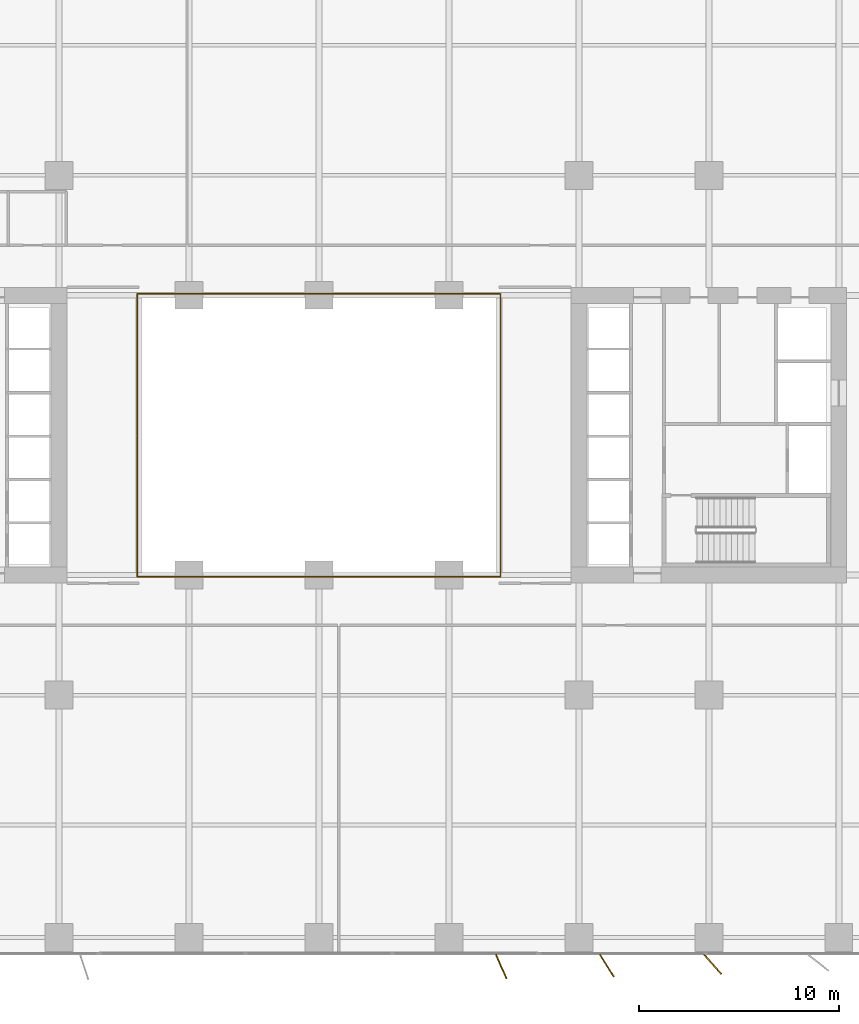
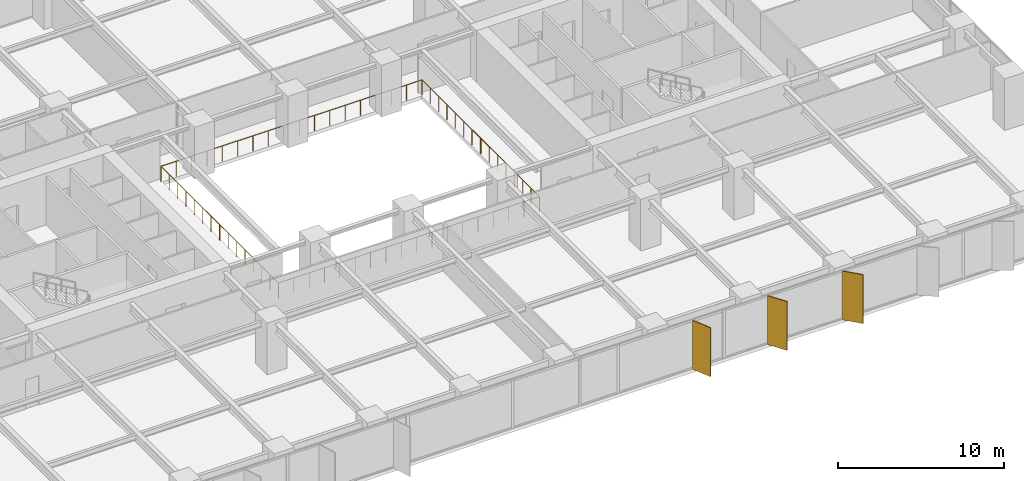
# One storey, part 18 of 20: 3 shading devices, 2 railings.
"""IFC4 building model written with IfcOpenShell, lengths in metres."""

from ifc_helpers import new_model, si_unit, direction, frame, origin, origin_2d, place, context, subcontext, project, spatial, rectangle, circle, extrude, material, layer, layer_set, type_object, element, save


model = new_model("IFC4")

# Units and contexts
model_context = context("Model", 3, precision=1e-05, world=origin(), true_north=direction((0.0, 1.0)))
body_context = subcontext(model_context, "Body", "Model", "MODEL_VIEW")
ifc_project = project(units=[si_unit("LENGTHUNIT", "METRE"), si_unit("AREAUNIT", "SQUARE_METRE"), si_unit("VOLUMEUNIT", "CUBIC_METRE"), si_unit("PLANEANGLEUNIT", "RADIAN"), si_unit("MASSUNIT", "GRAM", prefix="KILO")], contexts=[model_context])

# Site, building, storey
site_placement = place(None, origin())
site = spatial("IfcSite", under=ifc_project, at=site_placement, CompositionType="ELEMENT")
building_placement = place(site_placement, origin())
building = spatial("IfcBuilding", under=site, at=building_placement, Name="Putna Gate Headquarters", CompositionType="ELEMENT")
storey_placement = place(building_placement, frame((0.0, 0.0, 35.39990234375)))
storey = spatial("IfcBuildingStorey", under=building, at=storey_placement, Name="L07", CompositionType="ELEMENT", Elevation=35.39990234375)

# Railings
ifc_material_1 = material(Name="Anodised bronze and laminated glass atrium balustrade", Category="glass")
railing_type = type_object("IfcRailingType", Name="RAIL-ATRIUM-GUARD-1150", PredefinedType="GUARDRAIL", material=ifc_material_1)
railing_1_placement = place(storey_placement, frame((29.919921875, 25.969970703125, 0.0)))
element("IfcRailing", 1, at=railing_1_placement, inside=storey, type_object=railing_type, Name="L07 Central Atrium Glazed Balustrade South", PredefinedType="GUARDRAIL", context=body_context, shape_type="SweptSolid", body=[
    extrude(circle(Radius=0.02392578125, at=origin_2d()), frame((0.0, 0.0, 1.1259765625), z_axis=(0.0, -1.0, 0.0), x_axis=(1.0, 0.0, 0.0)), (0.0, 0.0, 1.0), 7.050048828125),
    extrude(circle(Radius=0.02392578125, at=origin_2d()), frame((0.0, -7.050048828125, 1.1259765625), z_axis=(1.0, 0.0, 0.0), x_axis=(0.0, 1.0, 0.0)), (0.0, 0.0, 1.0), 18.16015625),
    extrude(circle(Radius=0.02392578125, at=origin_2d()), frame((18.16015625, -7.050048828125, 1.1259765625), z_axis=(0.0, 1.0, 0.0), x_axis=(-1.0, 0.0, 0.0)), (0.0, 0.0, 1.0), 7.050048828125),
    extrude(circle(Radius=0.02099609375, at=origin_2d()), origin(), (0.0, 0.0, 1.0), 1.101806640625),
    extrude(circle(Radius=0.02099609375, at=origin_2d()), frame((0.0, -1.007080078125, 0.0)), (0.0, 0.0, 1.0), 1.101806640625),
    extrude(circle(Radius=0.02099609375, at=origin_2d()), frame((0.0, -2.014404296875, 0.0)), (0.0, 0.0, 1.0), 1.101806640625),
    extrude(circle(Radius=0.02099609375, at=origin_2d()), frame((0.0, -3.021484375, 0.0)), (0.0, 0.0, 1.0), 1.101806640625),
    extrude(circle(Radius=0.02099609375, at=origin_2d()), frame((0.0, -4.028564453125, 0.0)), (0.0, 0.0, 1.0), 1.101806640625),
    extrude(circle(Radius=0.02099609375, at=origin_2d()), frame((0.0, -5.03564453125, 0.0)), (0.0, 0.0, 1.0), 1.101806640625),
    extrude(circle(Radius=0.02099609375, at=origin_2d()), frame((0.0, -6.04296875, 0.0)), (0.0, 0.0, 1.0), 1.101806640625),
    extrude(circle(Radius=0.02099609375, at=origin_2d()), frame((0.0, -7.050048828125, 0.0)), (0.0, 0.0, 1.0), 1.101806640625),
    extrude(circle(Radius=0.02099609375, at=origin_2d()), frame((1.068359375, -7.050048828125, 0.0)), (0.0, 0.0, 1.0), 1.101806640625),
    extrude(circle(Radius=0.02099609375, at=origin_2d()), frame((2.136474609375, -7.050048828125, 0.0)), (0.0, 0.0, 1.0), 1.101806640625),
    extrude(circle(Radius=0.02099609375, at=origin_2d()), frame((3.204833984375, -7.050048828125, 0.0)), (0.0, 0.0, 1.0), 1.101806640625),
    extrude(circle(Radius=0.02099609375, at=origin_2d()), frame((4.27294921875, -7.050048828125, 0.0)), (0.0, 0.0, 1.0), 1.101806640625),
    extrude(circle(Radius=0.02099609375, at=origin_2d()), frame((5.34130859375, -7.050048828125, 0.0)), (0.0, 0.0, 1.0), 1.101806640625),
    extrude(circle(Radius=0.02099609375, at=origin_2d()), frame((6.409423828125, -7.050048828125, 0.0)), (0.0, 0.0, 1.0), 1.101806640625),
    extrude(circle(Radius=0.02099609375, at=origin_2d()), frame((7.477783203125, -7.050048828125, 0.0)), (0.0, 0.0, 1.0), 1.101806640625),
    extrude(circle(Radius=0.02099609375, at=origin_2d()), frame((8.5458984375, -7.050048828125, 0.0)), (0.0, 0.0, 1.0), 1.101806640625),
    extrude(circle(Radius=0.02099609375, at=origin_2d()), frame((9.6142578125, -7.050048828125, 0.0)), (0.0, 0.0, 1.0), 1.101806640625),
    extrude(circle(Radius=0.02099609375, at=origin_2d()), frame((10.682373046875, -7.050048828125, 0.0)), (0.0, 0.0, 1.0), 1.101806640625),
    extrude(circle(Radius=0.02099609375, at=origin_2d()), frame((11.750732421875, -7.050048828125, 0.0)), (0.0, 0.0, 1.0), 1.101806640625),
    extrude(circle(Radius=0.02099609375, at=origin_2d()), frame((12.81884765625, -7.050048828125, 0.0)), (0.0, 0.0, 1.0), 1.101806640625),
    extrude(circle(Radius=0.02099609375, at=origin_2d()), frame((13.88720703125, -7.050048828125, 0.0)), (0.0, 0.0, 1.0), 1.101806640625),
    extrude(circle(Radius=0.02099609375, at=origin_2d()), frame((14.955322265625, -7.050048828125, 0.0)), (0.0, 0.0, 1.0), 1.101806640625),
    extrude(circle(Radius=0.02099609375, at=origin_2d()), frame((16.023681640625, -7.050048828125, 0.0)), (0.0, 0.0, 1.0), 1.101806640625),
    extrude(circle(Radius=0.02099609375, at=origin_2d()), frame((17.091796875, -7.050048828125, 0.0)), (0.0, 0.0, 1.0), 1.101806640625),
    extrude(circle(Radius=0.02099609375, at=origin_2d()), frame((18.16015625, -7.050048828125, 0.0)), (0.0, 0.0, 1.0), 1.101806640625),
    extrude(circle(Radius=0.02099609375, at=origin_2d()), frame((18.16015625, -6.04296875, 0.0)), (0.0, 0.0, 1.0), 1.101806640625),
    extrude(circle(Radius=0.02099609375, at=origin_2d()), frame((18.16015625, -5.03564453125, 0.0)), (0.0, 0.0, 1.0), 1.101806640625),
    extrude(circle(Radius=0.02099609375, at=origin_2d()), frame((18.16015625, -4.028564453125, 0.0)), (0.0, 0.0, 1.0), 1.101806640625),
    extrude(circle(Radius=0.02099609375, at=origin_2d()), frame((18.16015625, -3.021484375, 0.0)), (0.0, 0.0, 1.0), 1.101806640625),
    extrude(circle(Radius=0.02099609375, at=origin_2d()), frame((18.16015625, -2.014404296875, 0.0)), (0.0, 0.0, 1.0), 1.101806640625),
    extrude(circle(Radius=0.02099609375, at=origin_2d()), frame((18.16015625, -1.007080078125, 0.0)), (0.0, 0.0, 1.0), 1.101806640625),
    extrude(circle(Radius=0.02099609375, at=origin_2d()), frame((18.16015625, 0.0, 0.0)), (0.0, 0.0, 1.0), 1.101806640625),
])
railing_2_placement = place(storey_placement, frame((48.080078125, 26.030029296875, 0.0)))
element("IfcRailing", 2, at=railing_2_placement, inside=storey, type_object=railing_type, Name="L07 Central Atrium Glazed Balustrade North", PredefinedType="GUARDRAIL", context=body_context, shape_type="SweptSolid", body=[
    extrude(circle(Radius=0.02392578125, at=origin_2d()), frame((0.0, 0.0, 1.1259765625), z_axis=(0.0, 1.0, 0.0), x_axis=(-1.0, 0.0, 0.0)), (0.0, 0.0, 1.0), 7.050048828125),
    extrude(circle(Radius=0.02392578125, at=origin_2d()), frame((0.0, 7.050048828125, 1.1259765625), z_axis=(-1.0, 0.0, 0.0), x_axis=(0.0, -1.0, 0.0)), (0.0, 0.0, 1.0), 18.16015625),
    extrude(circle(Radius=0.02392578125, at=origin_2d()), frame((-18.16015625, 7.050048828125, 1.1259765625), z_axis=(0.0, -1.0, 0.0), x_axis=(1.0, 0.0, 0.0)), (0.0, 0.0, 1.0), 7.050048828125),
    extrude(circle(Radius=0.02099609375, at=origin_2d()), origin(), (0.0, 0.0, 1.0), 1.101806640625),
    extrude(circle(Radius=0.02099609375, at=origin_2d()), frame((0.0, 1.007080078125, 0.0)), (0.0, 0.0, 1.0), 1.101806640625),
    extrude(circle(Radius=0.02099609375, at=origin_2d()), frame((0.0, 2.014404296875, 0.0)), (0.0, 0.0, 1.0), 1.101806640625),
    extrude(circle(Radius=0.02099609375, at=origin_2d()), frame((0.0, 3.021484375, 0.0)), (0.0, 0.0, 1.0), 1.101806640625),
    extrude(circle(Radius=0.02099609375, at=origin_2d()), frame((0.0, 4.028564453125, 0.0)), (0.0, 0.0, 1.0), 1.101806640625),
    extrude(circle(Radius=0.02099609375, at=origin_2d()), frame((0.0, 5.03564453125, 0.0)), (0.0, 0.0, 1.0), 1.101806640625),
    extrude(circle(Radius=0.02099609375, at=origin_2d()), frame((0.0, 6.04296875, 0.0)), (0.0, 0.0, 1.0), 1.101806640625),
    extrude(circle(Radius=0.02099609375, at=origin_2d()), frame((0.0, 7.050048828125, 0.0)), (0.0, 0.0, 1.0), 1.101806640625),
    extrude(circle(Radius=0.02099609375, at=origin_2d()), frame((-1.068359375, 7.050048828125, 0.0)), (0.0, 0.0, 1.0), 1.101806640625),
    extrude(circle(Radius=0.02099609375, at=origin_2d()), frame((-2.136474609375, 7.050048828125, 0.0)), (0.0, 0.0, 1.0), 1.101806640625),
    extrude(circle(Radius=0.02099609375, at=origin_2d()), frame((-3.204833984375, 7.050048828125, 0.0)), (0.0, 0.0, 1.0), 1.101806640625),
    extrude(circle(Radius=0.02099609375, at=origin_2d()), frame((-4.27294921875, 7.050048828125, 0.0)), (0.0, 0.0, 1.0), 1.101806640625),
    extrude(circle(Radius=0.02099609375, at=origin_2d()), frame((-5.34130859375, 7.050048828125, 0.0)), (0.0, 0.0, 1.0), 1.101806640625),
    extrude(circle(Radius=0.02099609375, at=origin_2d()), frame((-6.409423828125, 7.050048828125, 0.0)), (0.0, 0.0, 1.0), 1.101806640625),
    extrude(circle(Radius=0.02099609375, at=origin_2d()), frame((-7.477783203125, 7.050048828125, 0.0)), (0.0, 0.0, 1.0), 1.101806640625),
    extrude(circle(Radius=0.02099609375, at=origin_2d()), frame((-8.5458984375, 7.050048828125, 0.0)), (0.0, 0.0, 1.0), 1.101806640625),
    extrude(circle(Radius=0.02099609375, at=origin_2d()), frame((-9.6142578125, 7.050048828125, 0.0)), (0.0, 0.0, 1.0), 1.101806640625),
    extrude(circle(Radius=0.02099609375, at=origin_2d()), frame((-10.682373046875, 7.050048828125, 0.0)), (0.0, 0.0, 1.0), 1.101806640625),
    extrude(circle(Radius=0.02099609375, at=origin_2d()), frame((-11.750732421875, 7.050048828125, 0.0)), (0.0, 0.0, 1.0), 1.101806640625),
    extrude(circle(Radius=0.02099609375, at=origin_2d()), frame((-12.81884765625, 7.050048828125, 0.0)), (0.0, 0.0, 1.0), 1.101806640625),
    extrude(circle(Radius=0.02099609375, at=origin_2d()), frame((-13.88720703125, 7.050048828125, 0.0)), (0.0, 0.0, 1.0), 1.101806640625),
    extrude(circle(Radius=0.02099609375, at=origin_2d()), frame((-14.955322265625, 7.050048828125, 0.0)), (0.0, 0.0, 1.0), 1.101806640625),
    extrude(circle(Radius=0.02099609375, at=origin_2d()), frame((-16.023681640625, 7.050048828125, 0.0)), (0.0, 0.0, 1.0), 1.101806640625),
    extrude(circle(Radius=0.02099609375, at=origin_2d()), frame((-17.091796875, 7.050048828125, 0.0)), (0.0, 0.0, 1.0), 1.101806640625),
    extrude(circle(Radius=0.02099609375, at=origin_2d()), frame((-18.16015625, 7.050048828125, 0.0)), (0.0, 0.0, 1.0), 1.101806640625),
    extrude(circle(Radius=0.02099609375, at=origin_2d()), frame((-18.16015625, 6.04296875, 0.0)), (0.0, 0.0, 1.0), 1.101806640625),
    extrude(circle(Radius=0.02099609375, at=origin_2d()), frame((-18.16015625, 5.03564453125, 0.0)), (0.0, 0.0, 1.0), 1.101806640625),
    extrude(circle(Radius=0.02099609375, at=origin_2d()), frame((-18.16015625, 4.028564453125, 0.0)), (0.0, 0.0, 1.0), 1.101806640625),
    extrude(circle(Radius=0.02099609375, at=origin_2d()), frame((-18.16015625, 3.021484375, 0.0)), (0.0, 0.0, 1.0), 1.101806640625),
    extrude(circle(Radius=0.02099609375, at=origin_2d()), frame((-18.16015625, 2.014404296875, 0.0)), (0.0, 0.0, 1.0), 1.101806640625),
    extrude(circle(Radius=0.02099609375, at=origin_2d()), frame((-18.16015625, 1.007080078125, 0.0)), (0.0, 0.0, 1.0), 1.101806640625),
    extrude(circle(Radius=0.02099609375, at=origin_2d()), frame((-18.16015625, 0.0, 0.0)), (0.0, 0.0, 1.0), 1.101806640625),
])

# Shading devices
ifc_material_2 = material(Name="Anodised architectural bronze aluminium fin", Category="aluminium")
ifc_layer = layer(ifc_material_2, 0.06494140625)
ifc_layer_set = layer_set([ifc_layer], Name="Anodised architectural bronze aluminium fin")
shading_device_type = type_object("IfcShadingDeviceType", Name="SHADE-BRONZE-FIN-1320", PredefinedType="USERDEFINED", material=ifc_layer_set)
for number, where, z_axis, x_axis, name in (
    (3, (48.114501953125, -0.57958984375, -0.02001953125), (0.0, 0.0, 1.0), (0.400668879095, -0.916222925562, 0.0), "L07 Bronze Vertical Shading Fin S8"),
    (4, (53.400146484375, -0.534423828125, -0.02001953125), (0.0, 0.0, 1.0), (0.530659123936, -0.847585331506, 0.0), "L07 Bronze Vertical Shading Fin S9"),
    (5, (58.691650390625, -0.465576171875, -0.02001953125), (0.0, 0.0, 1.0), (0.669130606359, -0.743144825477, 0.0), "L07 Bronze Vertical Shading Fin S10"),
):
    element("IfcShadingDevice", number, at=place(storey_placement, frame(where, z_axis=z_axis, x_axis=x_axis)), inside=storey, type_object=shading_device_type, Name=name, ObjectType="FIN", PredefinedType="USERDEFINED", context=body_context, shape_type="SweptSolid", body=[
        extrude(rectangle(XDim=1.320068359375, YDim=0.06494140625, at=origin_2d()), origin(), (0.0, 0.0, 1.0), 3.590087890625),
    ])

save(model, "model.ifc")
